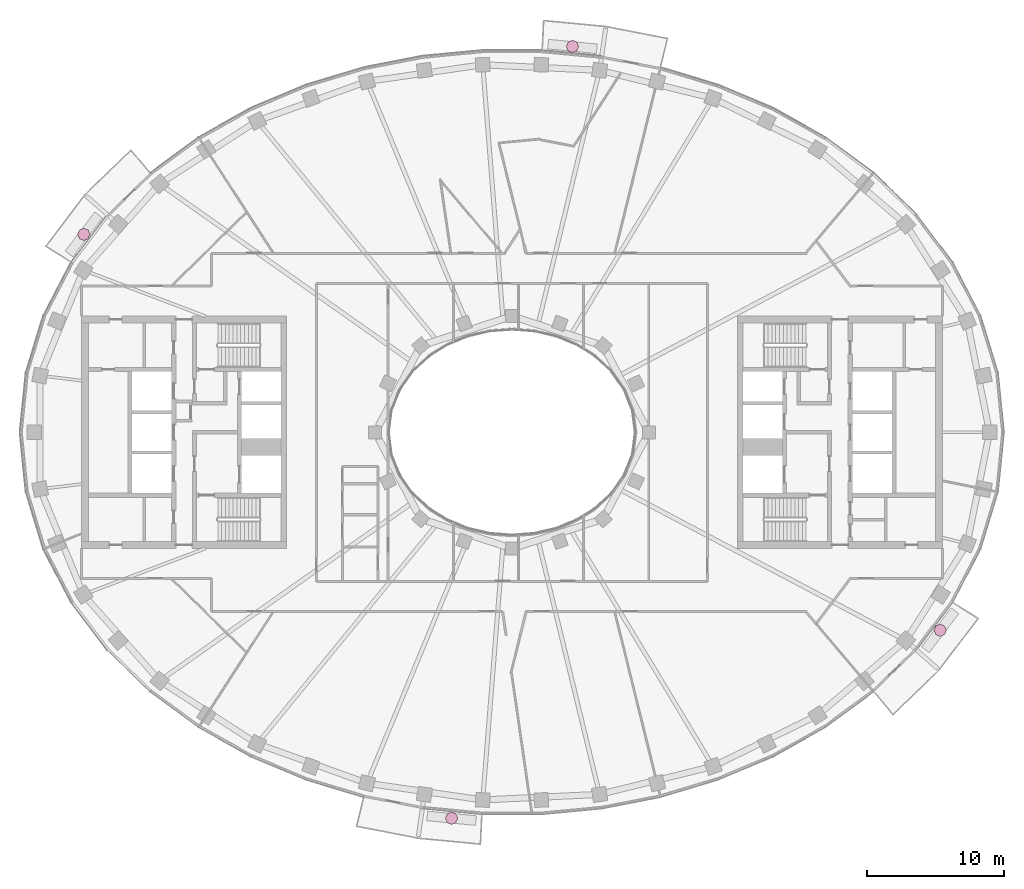
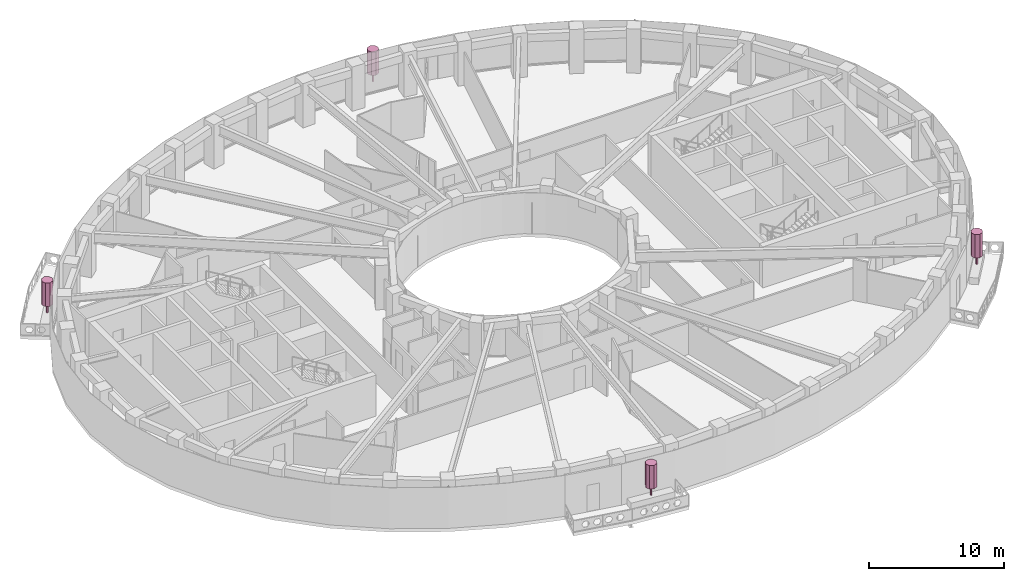
# One storey, part 16 of 16: 4 furnishings.
"""IFC4 building model written with IfcOpenShell, lengths in metres."""

from ifc_helpers import new_model, si_unit, direction, frame, origin, origin_2d, place, context, subcontext, project, spatial, polyline, rectangle, outline, extrude, material, type_object, element, save


model = new_model("IFC4")

# Units and contexts
model_context = context("Model", 3, precision=1e-05, world=origin(), true_north=direction((0.0, 1.0)))
body_context = subcontext(model_context, "Body", "Model", "MODEL_VIEW")
ifc_project = project(units=[si_unit("LENGTHUNIT", "METRE"), si_unit("AREAUNIT", "SQUARE_METRE"), si_unit("VOLUMEUNIT", "CUBIC_METRE"), si_unit("PLANEANGLEUNIT", "RADIAN"), si_unit("MASSUNIT", "GRAM", prefix="KILO")], contexts=[model_context])

# Site, building, storey
site_placement = place(None, origin())
site = spatial("IfcSite", under=ifc_project, at=site_placement, CompositionType="ELEMENT")
building_placement = place(site_placement, origin())
building = spatial("IfcBuilding", under=site, at=building_placement, Name="Noorbagh Ring Tower", CompositionType="ELEMENT")
storey_placement = place(building_placement, frame((0.0, 0.0, 261.5)))
storey = spatial("IfcBuildingStorey", under=building, at=storey_placement, Name="L55", CompositionType="ELEMENT", Elevation=261.5)

# Furnishings
ifc_material = material(Name="Planting foliage green")
furnishing_element_type = type_object("IfcFurnishingElementType", Name="ENV-TREE", material=ifc_material)
for number, where, z_axis, x_axis, name in (
    (1, (4.423828125, 28.2373046875, 0.60009765625), (0.0, 0.0, 1.0), (1.0, 0.0, 0.0), "Tree BN03"),
    (2, (-31.329833984375, 14.4833984375, 0.60009765625), (0.0, 0.0, 1.0), (1.0, 0.0, 0.0), "Tree BN06"),
    (3, (-4.423828125, -28.2373046875, 0.60009765625), (0.0, 0.0, 1.0), (1.0, 0.0, 0.0), "Tree BS03"),
    (4, (31.329833984375, -14.4833984375, 0.60009765625), (0.0, 0.0, 1.0), (1.0, 0.0, 0.0), "Tree BS06"),
):
    element("IfcFurnishingElement", number, at=place(storey_placement, frame(where, z_axis=z_axis, x_axis=x_axis)), inside=storey, type_object=furnishing_element_type, Name=name, context=body_context, shape_type="SweptSolid", body=[
        extrude(rectangle(XDim=0.1201171875, YDim=0.1201171875, at=origin_2d()), origin(), (0.0, 0.0, 1.0), 0.825927734375),
        extrude(outline(polyline([(0.449951171875, 0.0), (0.318115234375, 0.318115234375), (0.0, 0.449951171875), (-0.318115234375, 0.318115234375), (-0.449951171875, 0.0), (-0.318115234375, -0.318115234375), (0.0, -0.449951171875), (0.318115234375, -0.318115234375), (0.449951171875, 0.0)])), frame((0.0, 0.0, 0.825927734375)), (0.0, 0.0, 1.0), 2.1240234375),
    ])

save(model, "model.ifc")
